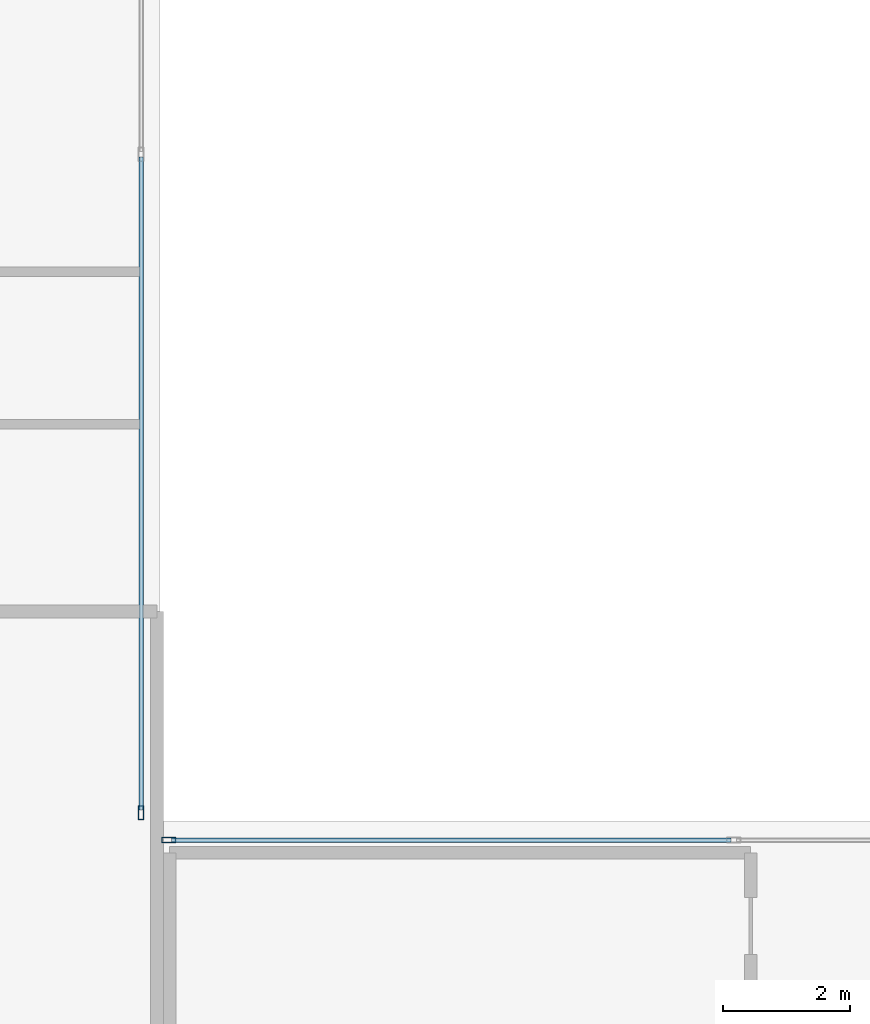
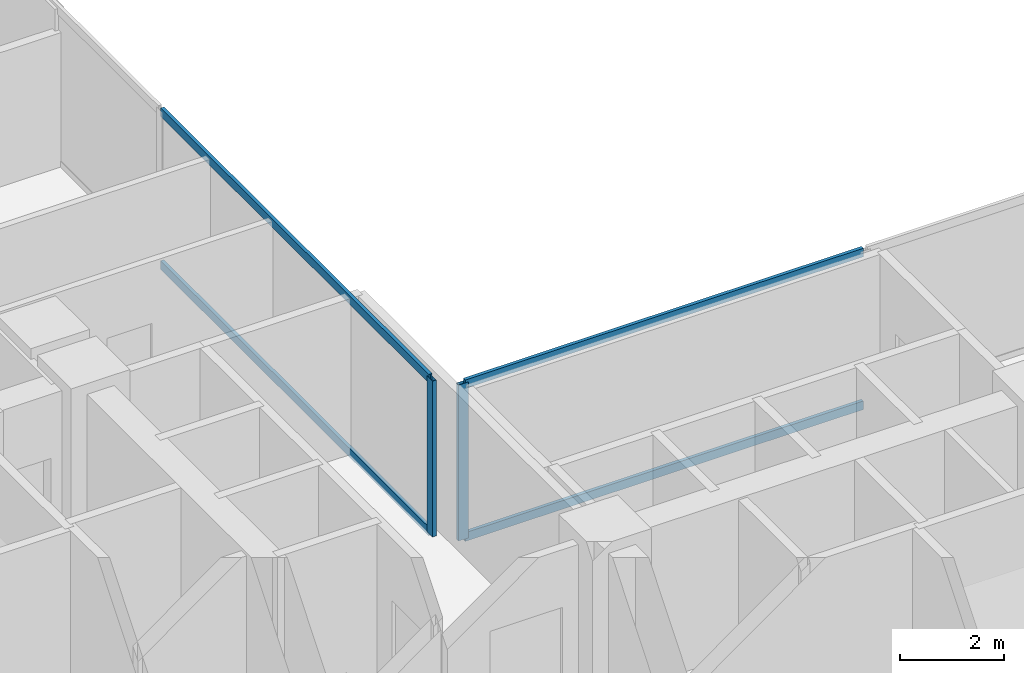
# One storey, part 7 of 27: 6 members, 2 elements without a shape of their own.
"""IFC4 building model written with IfcOpenShell, lengths in metres."""

from ifc_helpers import new_model, si_unit, direction, frame, origin, origin_2d, place, context, subcontext, project, spatial, hollow_rectangle, extrude, material, layer, layer_set, material_profile, profile_set, type_object, element, aggregate, save


model = new_model("IFC4")

# Units and contexts
model_context = context("Model", 3, precision=1e-05, world=origin(), true_north=direction((0.0, 1.0)))
body_context = subcontext(model_context, "Body", "Model", "MODEL_VIEW")
ifc_project = project(units=[si_unit("LENGTHUNIT", "METRE"), si_unit("AREAUNIT", "SQUARE_METRE"), si_unit("VOLUMEUNIT", "CUBIC_METRE"), si_unit("PLANEANGLEUNIT", "RADIAN"), si_unit("MASSUNIT", "GRAM", prefix="KILO"), si_unit("THERMODYNAMICTEMPERATUREUNIT", "KELVIN"), si_unit("POWERUNIT", "WATT")], contexts=[model_context])

# Site, building, storey
site_placement = place(None, origin())
site = spatial("IfcSite", under=ifc_project, at=site_placement, CompositionType="ELEMENT")
building_placement = place(site_placement, origin())
building = spatial("IfcBuilding", under=site, at=building_placement, Name="Svarakhadi Broadcast Tower", CompositionType="ELEMENT")
storey_placement = place(building_placement, frame((0.0, 0.0, 75.300048828125)))
storey = spatial("IfcBuildingStorey", under=building, at=storey_placement, Name="L17", CompositionType="ELEMENT", Elevation=75.300048828125)

# Curtain wall, member
ifc_material = material(Name="Anodised Bronze Aluminium AA 6063-T6", Category="aluminium")
ifc_layer = layer(ifc_material, 0.219970703125)
ifc_layer_set = layer_set([ifc_layer], Name="Anodised Bronze Aluminium AA 6063-T6")
curtain_wall_type = type_object("IfcCurtainWallType", Name="CW_Sys_02", PredefinedType="NOTDEFINED", material=ifc_layer_set)
curtain_wall_1_placement = place(storey_placement, origin())
curtain_wall_1 = element("IfcCurtainWall", 1, at=curtain_wall_1_placement, inside=storey, type_object=curtain_wall_type, Name="L17 Unitised Facade Curtain Wall 09", PredefinedType="NOTDEFINED")
ifc_material_profile_1 = material_profile(ifc_material, hollow_rectangle(XDim=0.0849609375, YDim=0.219970703125, WallThickness=0.006103515625, at=origin_2d()), Name="ALU MULLION 220x85x6")
ifc_profile_set_1 = profile_set([ifc_material_profile_1], Name="Anodised Bronze Aluminium AA 6063-T6")
member_type_1 = type_object("IfcMemberType", Name="CW_Sys_02_Mul", PredefinedType="MULLION", material=ifc_profile_set_1)
member_1_placement = place(storey_placement, frame((23.699951171875, 24.132568359375, 0.0), z_axis=(0.0, 0.0, 1.0), x_axis=(1.0, 0.0, 0.0)))
member_1 = element("IfcMember", 2, at=member_1_placement, type_object=member_type_1, Name="CW-02 mullion 3", PredefinedType="MULLION", context=body_context, shape_type="SweptSolid", body=[
    extrude(hollow_rectangle(XDim=0.0849609375, YDim=0.219970703125, WallThickness=0.006103515625, at=origin_2d()), origin(), (0.0, 0.0, 1.0), 3.64990234375),
])

curtain_wall_2_placement = place(storey_placement, origin())
curtain_wall_2 = element("IfcCurtainWall", 3, at=curtain_wall_2_placement, inside=storey, type_object=curtain_wall_type, Name="L17 Unitised Facade Curtain Wall 10", PredefinedType="NOTDEFINED")
member_2_placement = place(storey_placement, frame((24.132568359375, 23.699951171875, 0.0), z_axis=(0.0, 0.0, 1.0), x_axis=(0.0, 1.0, 0.0)))
member_2 = element("IfcMember", 4, at=member_2_placement, type_object=member_type_1, Name="CW-02 mullion 1", PredefinedType="MULLION", context=body_context, shape_type="SweptSolid", body=[
    extrude(hollow_rectangle(XDim=0.0849609375, YDim=0.219970703125, WallThickness=0.006103515625, at=origin_2d()), origin(), (0.0, 0.0, 1.0), 3.64990234375),
])

# Member
ifc_material_profile_2 = material_profile(ifc_material, hollow_rectangle(XDim=0.074951171875, YDim=0.199951171875, WallThickness=0.0048828125, at=origin_2d()), Name="ALU TRANSOM 200x75x5")
ifc_profile_set_2 = profile_set([ifc_material_profile_2], Name="Anodised Bronze Aluminium AA 6063-T6")
member_type_2 = type_object("IfcMemberType", Name="CW_Sys_02_Trn", PredefinedType="USERDEFINED", material=ifc_profile_set_2)
member_3_placement = place(storey_placement, frame((23.699951171875, 34.45751953125, 0.037353515625), z_axis=(0.0, -1.0, 0.0), x_axis=(1.0, 0.0, 0.0)))
member_3 = element("IfcMember", 5, at=member_3_placement, type_object=member_type_2, Name="CW-02 transom 2.1", ObjectType="TRANSOM", PredefinedType="USERDEFINED", context=body_context, shape_type="SweptSolid", body=[
    extrude(hollow_rectangle(XDim=0.074951171875, YDim=0.199951171875, WallThickness=0.0048828125, at=origin_2d()), origin(), (0.0, 0.0, 1.0), 10.282470703125),
])

member_4_placement = place(storey_placement, frame((23.699951171875, 34.45751953125, 3.612548828125), z_axis=(0.0, -1.0, 0.0), x_axis=(1.0, 0.0, 0.0)))
member_4 = element("IfcMember", 6, at=member_4_placement, type_object=member_type_2, Name="CW-02 transom 2.2", ObjectType="TRANSOM", PredefinedType="USERDEFINED", context=body_context, shape_type="SweptSolid", body=[
    extrude(hollow_rectangle(XDim=0.074951171875, YDim=0.199951171875, WallThickness=0.0048828125, at=origin_2d()), origin(), (0.0, 0.0, 1.0), 10.282470703125),
])

aggregate(curtain_wall_1, [member_1, member_3, member_4])

member_5_placement = place(storey_placement, frame((24.175048828125, 23.699951171875, 0.037353515625), z_axis=(1.0, 0.0, 0.0), x_axis=(0.0, 1.0, 0.0)))
member_5 = element("IfcMember", 7, at=member_5_placement, type_object=member_type_2, Name="CW-02 transom 1.1", ObjectType="TRANSOM", PredefinedType="USERDEFINED", context=body_context, shape_type="SweptSolid", body=[
    extrude(hollow_rectangle(XDim=0.074951171875, YDim=0.199951171875, WallThickness=0.0048828125, at=origin_2d()), origin(), (0.0, 0.0, 1.0), 8.8125),
])

member_6_placement = place(storey_placement, frame((24.175048828125, 23.699951171875, 3.612548828125), z_axis=(1.0, 0.0, 0.0), x_axis=(0.0, 1.0, 0.0)))
member_6 = element("IfcMember", 8, at=member_6_placement, type_object=member_type_2, Name="CW-02 transom 1.2", ObjectType="TRANSOM", PredefinedType="USERDEFINED", context=body_context, shape_type="SweptSolid", body=[
    extrude(hollow_rectangle(XDim=0.074951171875, YDim=0.199951171875, WallThickness=0.0048828125, at=origin_2d()), origin(), (0.0, 0.0, 1.0), 8.8125),
])

aggregate(curtain_wall_2, [member_2, member_5, member_6])

save(model, "model.ifc")
